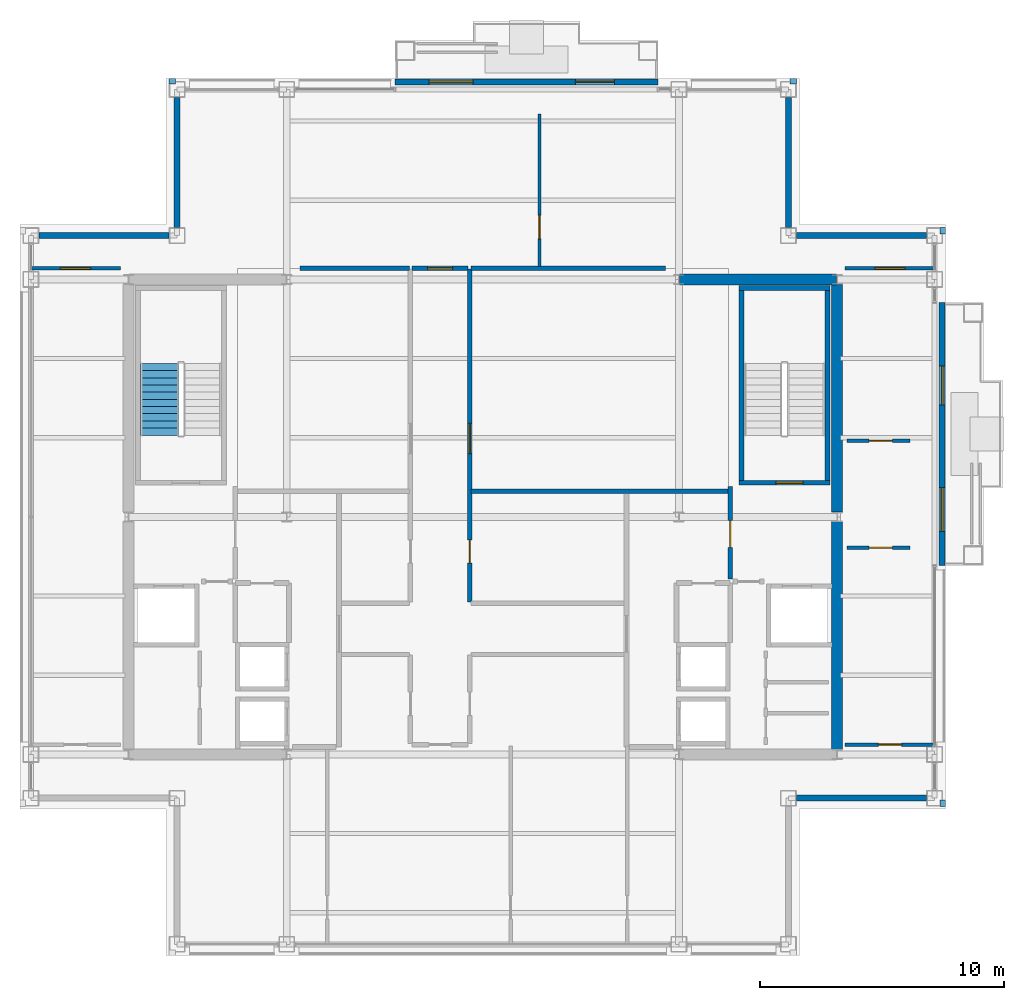
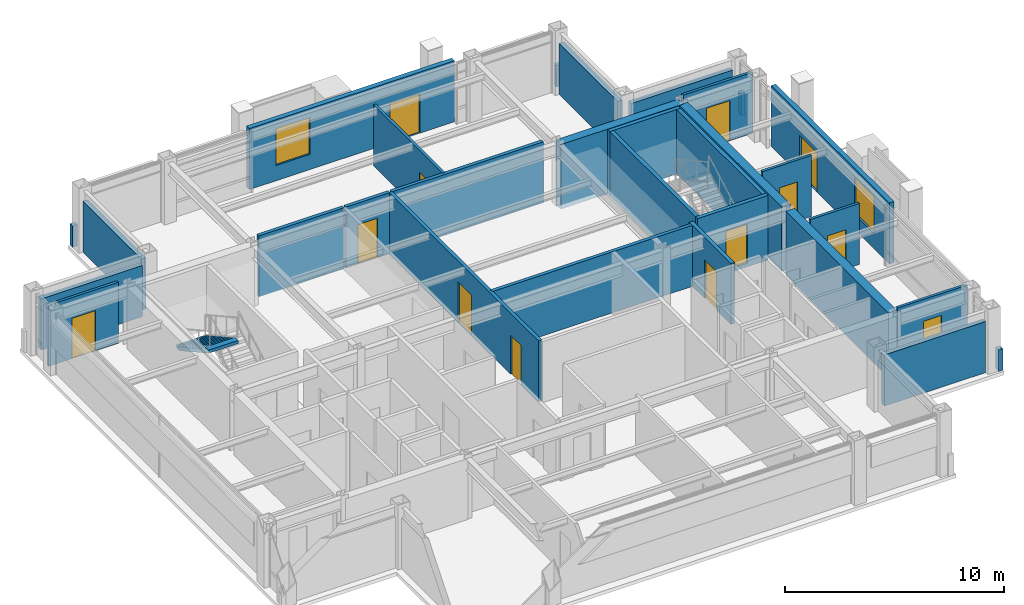
# One storey, part 21 of 24: 30 walls, 13 doors, 2 windows, 1 stair flight, 15 openings, 1 element without a shape of its own.
"""IFC4 building model written with IfcOpenShell, lengths in metres."""

from ifc_helpers import new_model, si_unit, direction, frame, frame_2d, origin, place, context, subcontext, project, spatial, polyline, rectangle, outline, extrude, material, layer, layer_set, type_object, element, fill, aggregate, save


model = new_model("IFC4")

# Units and contexts
model_context = context("Model", 3, precision=1e-05, world=origin(), true_north=direction((0.0, 1.0)))
body_context = subcontext(model_context, "Body", "Model", "MODEL_VIEW")
ifc_project = project(units=[si_unit("LENGTHUNIT", "METRE"), si_unit("AREAUNIT", "SQUARE_METRE"), si_unit("VOLUMEUNIT", "CUBIC_METRE"), si_unit("PLANEANGLEUNIT", "RADIAN"), si_unit("MASSUNIT", "GRAM", prefix="KILO")], contexts=[model_context])

# Site, building, storey
site_placement = place(None, origin())
site = spatial("IfcSite", under=ifc_project, at=site_placement, CompositionType="ELEMENT")
building_placement = place(site_placement, origin())
building = spatial("IfcBuilding", under=site, at=building_placement, Name="Brelmoor Portico Tower", CompositionType="ELEMENT")
storey_placement = place(building_placement, frame((0.0, 0.0, 229.199951171875)))
storey = spatial("IfcBuildingStorey", under=building, at=storey_placement, Name="L60", CompositionType="ELEMENT", Elevation=229.199951171875)

# Walls
ifc_material_1 = material(Name="Concrete C50", Category="concrete")
ifc_layer_1 = layer(ifc_material_1, 0.449951171875)
ifc_layer_set_1 = layer_set([ifc_layer_1], Name="Concrete C50")
wall_type_1 = type_object("IfcWallType", Name="WL-CORE-450", PredefinedType="SHEAR", material=ifc_layer_set_1)
wall_1_placement = place(storey_placement, frame((8.070068359375, 9.75, -0.199951171875), z_axis=(0.0, 0.0, 1.0), x_axis=(1.0, 0.0, 0.0)))
element("IfcWall", 1, at=wall_1_placement, inside=storey, type_object=wall_type_1, Name="L60 EC North Shear Wall", PredefinedType="SHEAR", context=body_context, shape_type="SweptSolid", body=[
    extrude(rectangle(XDim=6.4599609375, YDim=0.449951171875, at=frame_2d((3.22998046875, 0.0))), origin(), (0.0, 0.0, 1.0), 3.60009765625),
])
for number, where, z_axis, x_axis, name in (
    (2, (14.550048828125, -9.550048828125, -0.199951171875), (0.0, 0.0, 1.0), (0.0, 1.0, 0.0), "L60 EC Outer South Shear Wall"),
    (3, (14.550048828125, 0.199951171875, -0.199951171875), (0.0, 0.0, 1.0), (0.0, 1.0, 0.0), "L60 EC Outer North Shear Wall"),
):
    element("IfcWall", number, at=place(storey_placement, frame(where, z_axis=z_axis, x_axis=x_axis)), inside=storey, type_object=wall_type_1, Name=name, PredefinedType="SHEAR", context=body_context, shape_type="SweptSolid", body=[
        extrude(rectangle(XDim=9.35009765625, YDim=0.449951171875, at=frame_2d((4.675048828125, 0.0))), origin(), (0.0, 0.0, 1.0), 3.60009765625),
    ])

# Wall, openings, door, window
ifc_material_2 = material(Name="Precast Concrete C40 Insulated Facade Wall", Category="concrete")
ifc_layer_2 = layer(ifc_material_2, 0.25)
ifc_layer_set_2 = layer_set([ifc_layer_2], Name="Precast Concrete C40 Insulated Facade Wall")
wall_type_2 = type_object("IfcWallType", Name="WL-EXT-250", PredefinedType="STANDARD", material=ifc_layer_set_2)
wall_2_placement = place(storey_placement, frame((-3.60009765625, 17.860107421875, 0.0), z_axis=(0.0, 0.0, 1.0), x_axis=(1.0, 0.0, 0.0)))
wall_2 = element("IfcWall", 4, at=wall_2_placement, inside=storey, type_object=wall_type_2, Name="L60 Loggia Threshold Wall N-1", PredefinedType="STANDARD", context=body_context, shape_type="SweptSolid", body=[
    extrude(rectangle(XDim=10.800048828125, YDim=0.25, at=frame_2d((5.39990234375, 0.0))), origin(), (0.0, 0.0, 1.0), 3.400146484375),
])
opening_1_placement = place(wall_2_placement, frame((7.39990234375, 0.0, 0.0)))
opening_1 = element("IfcOpeningElement", 5, at=opening_1_placement, cuts=wall_2, Name="Opening D-TB1", PredefinedType="OPENING", context=body_context, shape_type="SweptSolid", body=[
    extrude(rectangle(XDim=1.60009765625, YDim=2.199951171875, at=frame_2d((0.800048828125, 1.10009765625))), frame((0.0, 0.135009765625, 0.0), z_axis=(0.0, -1.0, 0.0), x_axis=(1.0, 0.0, 0.0)), (0.0, 0.0, 1.0), 0.27001953125),
])
opening_2_placement = place(wall_2_placement, frame((1.39990234375, 0.0, 0.85009765625)))
opening_2 = element("IfcOpeningElement", 6, at=opening_2_placement, cuts=wall_2, Name="Opening W-03C", PredefinedType="OPENING", context=body_context, shape_type="SweptSolid", body=[
    extrude(rectangle(XDim=1.800048828125, YDim=2.050048828125, at=frame_2d((0.89990234375, 1.02490234375))), frame((0.0, 0.135009765625, 0.0), z_axis=(0.0, -1.0, 0.0), x_axis=(1.0, 0.0, 0.0)), (0.0, 0.0, 1.0), 0.27001953125),
])
ifc_material_3 = material(Name="Double-Leaf Thermally Broken Terrace Door", Category="aluminium")
door_type_1 = type_object("IfcDoorType", Name="DR-BALCONY-1600", OperationType="NOTDEFINED", PredefinedType="DOOR", material=ifc_material_3)
door_1_placement = place(opening_1_placement, origin())
door_1 = element("IfcDoor", 7, at=door_1_placement, inside=storey, type_object=door_type_1, Name="D-2503 L60 Tree Balcony Double Door N", OperationType="DOUBLE_DOOR_SINGLE_SWING", OverallHeight=2.199951171875, OverallWidth=1.60009765625, PredefinedType="DOOR", context=body_context, shape_type="SweptSolid", body=[
    extrude(rectangle(XDim=1.60009765625, YDim=2.199951171875, at=frame_2d((0.800048828125, 1.10009765625))), frame((0.0, 0.02490234375, 0.0), z_axis=(0.0, -1.0, 0.0), x_axis=(1.0, 0.0, 0.0)), (0.0, 0.0, 1.0), 0.050048828125),
])
fill(opening_1, door_1)
ifc_material_4 = material(Name="Thermally Broken Aluminium Low-E Window", Category="aluminium")
window_type = type_object("IfcWindowType", Name="WN-LOGGIA-1800x2050", PartitioningType="SINGLE_PANEL", PredefinedType="WINDOW", material=ifc_material_4)
window_1_placement = place(opening_2_placement, origin())
window_1 = element("IfcWindow", 8, at=window_1_placement, inside=storey, type_object=window_type, Name="L60 Loggia Window N", OverallHeight=2.050048828125, OverallWidth=1.800048828125, PartitioningType="SINGLE_PANEL", PredefinedType="WINDOW", context=body_context, shape_type="SweptSolid", body=[
    extrude(rectangle(XDim=1.800048828125, YDim=2.050048828125, at=frame_2d((0.89990234375, 1.02490234375))), frame((0.0, 0.030029296875, 0.0), z_axis=(0.0, -1.0, 0.0), x_axis=(1.0, 0.0, 0.0)), (0.0, 0.0, 1.0), 0.06005859375),
])
fill(opening_2, window_1)

wall_3_placement = place(storey_placement, frame((18.860107421875, -2.0, 0.0), z_axis=(0.0, 0.0, 1.0), x_axis=(0.0, 1.0, 0.0)))
wall_3 = element("IfcWall", 9, at=wall_3_placement, inside=storey, type_object=wall_type_2, Name="L60 Loggia Threshold Wall E-1", PredefinedType="STANDARD", context=body_context, shape_type="SweptSolid", body=[
    extrude(rectangle(XDim=10.800048828125, YDim=0.25, at=frame_2d((5.39990234375, 0.0))), origin(), (0.0, 0.0, 1.0), 3.400146484375),
])
opening_3_placement = place(wall_3_placement, frame((6.60009765625, 0.0, 0.0)))
opening_3 = element("IfcOpeningElement", 10, at=opening_3_placement, cuts=wall_3, Name="Opening D-TB1", PredefinedType="OPENING", context=body_context, shape_type="SweptSolid", body=[
    extrude(rectangle(XDim=1.60009765625, YDim=2.199951171875, at=frame_2d((0.800048828125, 1.10009765625))), frame((0.0, 0.135009765625, 0.0), z_axis=(0.0, -1.0, 0.0), x_axis=(1.0, 0.0, 0.0)), (0.0, 0.0, 1.0), 0.27001953125),
])
opening_4_placement = place(wall_3_placement, frame((1.39990234375, 0.0, 0.85009765625)))
opening_4 = element("IfcOpeningElement", 11, at=opening_4_placement, cuts=wall_3, Name="Opening W-03C", PredefinedType="OPENING", context=body_context, shape_type="SweptSolid", body=[
    extrude(rectangle(XDim=1.800048828125, YDim=2.050048828125, at=frame_2d((0.89990234375, 1.02490234375))), frame((0.0, 0.135009765625, 0.0), z_axis=(0.0, -1.0, 0.0), x_axis=(1.0, 0.0, 0.0)), (0.0, 0.0, 1.0), 0.27001953125),
])
door_2_placement = place(opening_3_placement, origin())
door_2 = element("IfcDoor", 12, at=door_2_placement, inside=storey, type_object=door_type_1, Name="D-2502 L60 Tree Balcony Double Door E", OperationType="DOUBLE_DOOR_SINGLE_SWING", OverallHeight=2.199951171875, OverallWidth=1.60009765625, PredefinedType="DOOR", context=body_context, shape_type="SweptSolid", body=[
    extrude(rectangle(XDim=1.60009765625, YDim=2.199951171875, at=frame_2d((0.800048828125, 1.10009765625))), frame((0.0, 0.02490234375, 0.0), z_axis=(0.0, -1.0, 0.0), x_axis=(1.0, 0.0, 0.0)), (0.0, 0.0, 1.0), 0.050048828125),
])
fill(opening_3, door_2)
window_2_placement = place(opening_4_placement, origin())
window_2 = element("IfcWindow", 13, at=window_2_placement, inside=storey, type_object=window_type, Name="L60 Loggia Window E", OverallHeight=2.050048828125, OverallWidth=1.800048828125, PartitioningType="SINGLE_PANEL", PredefinedType="WINDOW", context=body_context, shape_type="SweptSolid", body=[
    extrude(rectangle(XDim=1.800048828125, YDim=2.050048828125, at=frame_2d((0.89990234375, 1.02490234375))), frame((0.0, 0.030029296875, 0.0), z_axis=(0.0, -1.0, 0.0), x_axis=(1.0, 0.0, 0.0)), (0.0, 0.0, 1.0), 0.06005859375),
])
fill(opening_4, window_2)

# Walls
for number, where, z_axis, x_axis, name in (
    (14, (12.885009765625, -11.550048828125, 0.0), (0.0, 0.0, 1.0), (1.0, 0.0, 0.0), "L60 Corner Notch Facade Wall NSEH1"),
    (15, (-18.215087890625, 11.550048828125, 0.0), (0.0, 0.0, 1.0), (1.0, 0.0, 0.0), "L60 Corner Notch Facade Wall NNWH1"),
    (16, (-12.550048828125, 11.885009765625, 0.0), (0.0, 0.0, 1.0), (0.0, 1.0, 0.0), "L60 Corner Notch Facade Wall NNWV1"),
    (17, (12.885009765625, 11.550048828125, 0.0), (0.0, 0.0, 1.0), (1.0, 0.0, 0.0), "L60 Corner Notch Facade Wall NNEH1"),
    (18, (12.550048828125, 11.885009765625, 0.0), (0.0, 0.0, 1.0), (0.0, 1.0, 0.0), "L60 Corner Notch Facade Wall NNEV1"),
):
    element("IfcWall", number, at=place(storey_placement, frame(where, z_axis=z_axis, x_axis=x_axis)), inside=storey, type_object=wall_type_2, Name=name, PredefinedType="STANDARD", context=body_context, shape_type="SweptSolid", body=[
        extrude(rectangle(XDim=5.330078125, YDim=0.25, at=frame_2d((2.6650390625, 0.0))), origin(), (0.0, 0.0, 1.0), 2.85009765625),
    ])
ifc_material_5 = material(Name="Concrete C40 Parapet Upstand", Category="concrete")
ifc_layer_3 = layer(ifc_material_5, 0.219970703125)
ifc_layer_set_3 = layer_set([ifc_layer_3], Name="Concrete C40 Parapet Upstand")
wall_type_3 = type_object("IfcWallType", Name="WL-PARAPET-220", PredefinedType="PARAPET", material=ifc_layer_set_3)
for number, where, z_axis, x_axis, name in (
    (19, (18.889892578125, -11.889892578125, 0.0), (0.0, 0.0, 1.0), (0.0, 1.0, 0.0), "L60 Chamfer Vertex Parapet Pier SE2"),
    (20, (-12.889892578125, 17.889892578125, 0.0), (0.0, 0.0, 1.0), (1.0, 0.0, 0.0), "L60 Chamfer Vertex Parapet Pier NW1"),
    (21, (12.6201171875, 17.889892578125, 0.0), (0.0, 0.0, 1.0), (1.0, 0.0, 0.0), "L60 Chamfer Vertex Parapet Pier NE1"),
    (22, (18.889892578125, 11.6201171875, 0.0), (0.0, 0.0, 1.0), (0.0, 1.0, 0.0), "L60 Chamfer Vertex Parapet Pier NE2"),
):
    element("IfcWall", number, at=place(storey_placement, frame(where, z_axis=z_axis, x_axis=x_axis)), inside=storey, type_object=wall_type_3, Name=name, PredefinedType="PARAPET", context=body_context, shape_type="SweptSolid", body=[
        extrude(rectangle(XDim=0.269775390625, YDim=0.219970703125, at=frame_2d((0.134765625, 0.0))), origin(), (0.0, 0.0, 1.0), 1.199951171875),
    ])

# Wall, opening, door
ifc_material_6 = material(Name="Insulated Stud Suite Partition", Category="gypsum")
ifc_layer_4 = layer(ifc_material_6, 0.139892578125)
ifc_layer_set_4 = layer_set([ifc_layer_4], Name="Insulated Stud Suite Partition")
wall_type_4 = type_object("IfcWallType", Name="WL-PART-140", PredefinedType="PARTITIONING", material=ifc_layer_set_4)
wall_4_placement = place(storey_placement, frame((2.330078125, 10.27001953125, 0.0), z_axis=(0.0, 0.0, 1.0), x_axis=(0.0, 1.0, 0.0)))
wall_4 = element("IfcWall", 23, at=wall_4_placement, inside=storey, type_object=wall_type_4, Name="L60 North Suite Partition 1", PredefinedType="PARTITIONING", context=body_context, shape_type="SweptSolid", body=[
    extrude(rectangle(XDim=6.280029296875, YDim=0.139892578125, at=frame_2d((3.14013671875, 0.0))), origin(), (0.0, 0.0, 1.0), 3.400146484375),
])
opening_5_placement = place(wall_4_placement, frame((1.14990234375, 0.0, 0.0)))
opening_5 = element("IfcOpeningElement", 24, at=opening_5_placement, cuts=wall_4, Name="Opening D-IN2", PredefinedType="OPENING", context=body_context, shape_type="SweptSolid", body=[
    extrude(rectangle(XDim=0.9599609375, YDim=2.179931640625, at=frame_2d((0.47998046875, 1.08984375))), frame((0.0, 0.079833984375, 0.0), z_axis=(0.0, -1.0, 0.0), x_axis=(1.0, 0.0, 0.0)), (0.0, 0.0, 1.0), 0.159912109375),
])
ifc_material_7 = material(Name="Lacquered Timber Suite Door", Category="wood")
door_type_2 = type_object("IfcDoorType", Name="DR-INT-950", OperationType="NOTDEFINED", PredefinedType="DOOR", material=ifc_material_7)
door_3_placement = place(opening_5_placement, origin())
door_3 = element("IfcDoor", 25, at=door_3_placement, inside=storey, type_object=door_type_2, Name="D-2491 L60 North Suite Connecting Door 1", OperationType="SINGLE_SWING_LEFT", OverallHeight=2.179931640625, OverallWidth=0.9599609375, PredefinedType="DOOR", context=body_context, shape_type="SweptSolid", body=[
    extrude(rectangle(XDim=0.9599609375, YDim=2.179931640625, at=frame_2d((0.47998046875, 1.08984375))), frame((0.0, 0.02490234375, 0.0), z_axis=(0.0, -1.0, 0.0), x_axis=(1.0, 0.0, 0.0)), (0.0, 0.0, 1.0), 0.050048828125),
])
fill(opening_5, door_3)

wall_5_placement = place(storey_placement, frame((-18.56005859375, 10.2099609375, 0.0), z_axis=(0.0, 0.0, 1.0), x_axis=(1.0, 0.0, 0.0)))
wall_5 = element("IfcWall", 26, at=wall_5_placement, inside=storey, type_object=wall_type_4, Name="L60 North Wing Suite Wall WL", PredefinedType="PARTITIONING", context=body_context, shape_type="SweptSolid", body=[
    extrude(rectangle(XDim=3.68017578125, YDim=0.139892578125, at=frame_2d((1.840087890625, 0.0))), origin(), (0.0, 0.0, 1.0), 3.400146484375),
])
opening_6_placement = place(wall_5_placement, frame((1.219970703125, 0.0, 0.0)))
opening_6 = element("IfcOpeningElement", 27, at=opening_6_placement, cuts=wall_5, Name="Opening D-SU1", PredefinedType="OPENING", context=body_context, shape_type="SweptSolid", body=[
    extrude(rectangle(XDim=1.239990234375, YDim=2.239990234375, at=frame_2d((0.6201171875, 1.1201171875))), frame((0.0, 0.079833984375, 0.0), z_axis=(0.0, -1.0, 0.0), x_axis=(1.0, 0.0, 0.0)), (0.0, 0.0, 1.0), 0.159912109375),
])
ifc_material_8 = material(Name="Glazed Timber Executive Suite Door", Category="wood")
door_type_3 = type_object("IfcDoorType", Name="DR-SUITE-1200", OperationType="NOTDEFINED", PredefinedType="DOOR", material=ifc_material_8)
door_4_placement = place(opening_6_placement, origin())
door_4 = element("IfcDoor", 28, at=door_4_placement, inside=storey, type_object=door_type_3, Name="D-2493 L60 WL Wing Suite Connecting Door", OperationType="SINGLE_SWING_LEFT", OverallHeight=2.239990234375, OverallWidth=1.239990234375, PredefinedType="DOOR", context=body_context, shape_type="SweptSolid", body=[
    extrude(rectangle(XDim=1.239990234375, YDim=2.239990234375, at=frame_2d((0.6201171875, 1.1201171875))), frame((0.0, 0.02490234375, 0.0), z_axis=(0.0, -1.0, 0.0), x_axis=(1.0, 0.0, 0.0)), (0.0, 0.0, 1.0), 0.050048828125),
])
fill(opening_6, door_4)

wall_6_placement = place(storey_placement, frame((14.8798828125, 10.2099609375, 0.0), z_axis=(0.0, 0.0, 1.0), x_axis=(1.0, 0.0, 0.0)))
wall_6 = element("IfcWall", 29, at=wall_6_placement, inside=storey, type_object=wall_type_4, Name="L60 North Wing Suite Wall ER", PredefinedType="PARTITIONING", context=body_context, shape_type="SweptSolid", body=[
    extrude(rectangle(XDim=3.68017578125, YDim=0.139892578125, at=frame_2d((1.840087890625, 0.0))), origin(), (0.0, 0.0, 1.0), 3.400146484375),
])
opening_7_placement = place(wall_6_placement, frame((1.219970703125, 0.0, 0.0)))
opening_7 = element("IfcOpeningElement", 30, at=opening_7_placement, cuts=wall_6, Name="Opening D-SU1", PredefinedType="OPENING", context=body_context, shape_type="SweptSolid", body=[
    extrude(rectangle(XDim=1.239990234375, YDim=2.239990234375, at=frame_2d((0.6201171875, 1.1201171875))), frame((0.0, 0.079833984375, 0.0), z_axis=(0.0, -1.0, 0.0), x_axis=(1.0, 0.0, 0.0)), (0.0, 0.0, 1.0), 0.159912109375),
])
door_5_placement = place(opening_7_placement, origin())
door_5 = element("IfcDoor", 31, at=door_5_placement, inside=storey, type_object=door_type_3, Name="D-2492 L60 ER Wing Suite Connecting Door", OperationType="SINGLE_SWING_RIGHT", OverallHeight=2.239990234375, OverallWidth=1.239990234375, PredefinedType="DOOR", context=body_context, shape_type="SweptSolid", body=[
    extrude(rectangle(XDim=1.239990234375, YDim=2.239990234375, at=frame_2d((0.6201171875, 1.1201171875))), frame((0.0, 0.02490234375, 0.0), z_axis=(0.0, -1.0, 0.0), x_axis=(1.0, 0.0, 0.0)), (0.0, 0.0, 1.0), 0.050048828125),
])
fill(opening_7, door_5)

wall_7_placement = place(storey_placement, frame((14.8798828125, -9.35009765625, 0.0), z_axis=(0.0, 0.0, 1.0), x_axis=(1.0, 0.0, 0.0)))
wall_7 = element("IfcWall", 32, at=wall_7_placement, inside=storey, type_object=wall_type_4, Name="L60 South Wing Closure ER", PredefinedType="PARTITIONING", context=body_context, shape_type="SweptSolid", body=[
    extrude(rectangle(XDim=3.68017578125, YDim=0.139892578125, at=frame_2d((1.840087890625, 0.0))), origin(), (0.0, 0.0, 1.0), 3.400146484375),
])
opening_8_placement = place(wall_7_placement, frame((1.360107421875, 0.0, 0.0)))
opening_8 = element("IfcOpeningElement", 33, at=opening_8_placement, cuts=wall_7, Name="Opening D-IN2", PredefinedType="OPENING", context=body_context, shape_type="SweptSolid", body=[
    extrude(rectangle(XDim=0.9599609375, YDim=2.179931640625, at=frame_2d((0.47998046875, 1.08984375))), frame((0.0, 0.079833984375, 0.0), z_axis=(0.0, -1.0, 0.0), x_axis=(1.0, 0.0, 0.0)), (0.0, 0.0, 1.0), 0.159912109375),
])
door_6_placement = place(opening_8_placement, origin())
door_6 = element("IfcDoor", 34, at=door_6_placement, inside=storey, type_object=door_type_2, Name="D-2500 L60 ER Wing South Suite Door", OperationType="SINGLE_SWING_RIGHT", OverallHeight=2.179931640625, OverallWidth=0.9599609375, PredefinedType="DOOR", context=body_context, shape_type="SweptSolid", body=[
    extrude(rectangle(XDim=0.9599609375, YDim=2.179931640625, at=frame_2d((0.47998046875, 1.08984375))), frame((0.0, 0.02490234375, 0.0), z_axis=(0.0, -1.0, 0.0), x_axis=(1.0, 0.0, 0.0)), (0.0, 0.0, 1.0), 0.050048828125),
])
fill(opening_8, door_6)

wall_8_placement = place(storey_placement, frame((14.9599609375, -1.27001953125, 0.0), z_axis=(0.0, 0.0, 1.0), x_axis=(1.0, 0.0, 0.0)))
wall_8 = element("IfcWall", 35, at=wall_8_placement, inside=storey, type_object=wall_type_4, Name="L60 E Wing Partition 1", PredefinedType="PARTITIONING", context=body_context, shape_type="SweptSolid", body=[
    extrude(rectangle(XDim=2.590087890625, YDim=0.139892578125, at=frame_2d((1.294921875, 0.0))), origin(), (0.0, 0.0, 1.0), 3.400146484375),
])
opening_9_placement = place(wall_8_placement, frame((0.89990234375, 0.0, 0.0)))
opening_9 = element("IfcOpeningElement", 36, at=opening_9_placement, cuts=wall_8, Name="Opening D-IN2", PredefinedType="OPENING", context=body_context, shape_type="SweptSolid", body=[
    extrude(rectangle(XDim=0.9599609375, YDim=2.179931640625, at=frame_2d((0.47998046875, 1.08984375))), frame((0.0, 0.079833984375, 0.0), z_axis=(0.0, -1.0, 0.0), x_axis=(1.0, 0.0, 0.0)), (0.0, 0.0, 1.0), 0.159912109375),
])
door_7_placement = place(opening_9_placement, origin())
door_7 = element("IfcDoor", 37, at=door_7_placement, inside=storey, type_object=door_type_2, Name="D-2504 L60 E Wing Suite Connecting Door 1", OperationType="SINGLE_SWING_LEFT", OverallHeight=2.179931640625, OverallWidth=0.9599609375, PredefinedType="DOOR", context=body_context, shape_type="SweptSolid", body=[
    extrude(rectangle(XDim=0.9599609375, YDim=2.179931640625, at=frame_2d((0.47998046875, 1.08984375))), frame((0.0, 0.02490234375, 0.0), z_axis=(0.0, -1.0, 0.0), x_axis=(1.0, 0.0, 0.0)), (0.0, 0.0, 1.0), 0.050048828125),
])
fill(opening_9, door_7)

wall_9_placement = place(storey_placement, frame((14.9599609375, 3.1298828125, 0.0), z_axis=(0.0, 0.0, 1.0), x_axis=(1.0, 0.0, 0.0)))
wall_9 = element("IfcWall", 38, at=wall_9_placement, inside=storey, type_object=wall_type_4, Name="L60 E Wing Partition 2", PredefinedType="PARTITIONING", context=body_context, shape_type="SweptSolid", body=[
    extrude(rectangle(XDim=2.590087890625, YDim=0.139892578125, at=frame_2d((1.294921875, 0.0))), origin(), (0.0, 0.0, 1.0), 3.400146484375),
])
opening_10_placement = place(wall_9_placement, frame((0.89990234375, 0.0, 0.0)))
opening_10 = element("IfcOpeningElement", 39, at=opening_10_placement, cuts=wall_9, Name="Opening D-IN2", PredefinedType="OPENING", context=body_context, shape_type="SweptSolid", body=[
    extrude(rectangle(XDim=0.9599609375, YDim=2.179931640625, at=frame_2d((0.47998046875, 1.08984375))), frame((0.0, 0.079833984375, 0.0), z_axis=(0.0, -1.0, 0.0), x_axis=(1.0, 0.0, 0.0)), (0.0, 0.0, 1.0), 0.159912109375),
])
door_8_placement = place(opening_10_placement, origin())
door_8 = element("IfcDoor", 40, at=door_8_placement, inside=storey, type_object=door_type_2, Name="D-2505 L60 E Wing Suite Connecting Door 2", OperationType="SINGLE_SWING_RIGHT", OverallHeight=2.179931640625, OverallWidth=0.9599609375, PredefinedType="DOOR", context=body_context, shape_type="SweptSolid", body=[
    extrude(rectangle(XDim=0.9599609375, YDim=2.179931640625, at=frame_2d((0.47998046875, 1.08984375))), frame((0.0, 0.02490234375, 0.0), z_axis=(0.0, -1.0, 0.0), x_axis=(1.0, 0.0, 0.0)), (0.0, 0.0, 1.0), 0.050048828125),
])
fill(opening_10, door_8)

# Walls
ifc_material_9 = material(Name="Acoustic Corridor Fire Partition", Category="gypsum")
ifc_layer_5 = layer(ifc_material_9, 0.179931640625)
ifc_layer_set_5 = layer_set([ifc_layer_5], Name="Acoustic Corridor Fire Partition")
wall_type_5 = type_object("IfcWallType", Name="WL-PART-180", PredefinedType="PARTITIONING", material=ifc_layer_set_5)
wall_10_placement = place(storey_placement, frame((-7.5, 10.2099609375, 0.0), z_axis=(0.0, 0.0, 1.0), x_axis=(1.0, 0.0, 0.0)))
element("IfcWall", 41, at=wall_10_placement, inside=storey, type_object=wall_type_5, Name="L60 West Reclaimed Suite North Wall", PredefinedType="PARTITIONING", context=body_context, shape_type="SweptSolid", body=[
    extrude(rectangle(XDim=4.489990234375, YDim=0.179931640625, at=frame_2d((2.2451171875, 0.0))), origin(), (0.0, 0.0, 1.0), 3.400146484375),
])
wall_11_placement = place(storey_placement, frame((-0.489990234375, 1.050048828125, 0.0), z_axis=(0.0, 0.0, 1.0), x_axis=(1.0, 0.0, 0.0)))
element("IfcWall", 42, at=wall_11_placement, inside=storey, type_object=wall_type_5, Name="L60 East Suite South Wall", PredefinedType="PARTITIONING", context=body_context, shape_type="SweptSolid", body=[
    extrude(rectangle(XDim=10.550048828125, YDim=0.179931640625, at=frame_2d((5.27490234375, 0.0))), origin(), (0.0, 0.0, 1.0), 3.400146484375),
])

# Wall, openings, doors
wall_12_placement = place(storey_placement, frame((-0.530029296875, -3.5, 0.0), z_axis=(0.0, 0.0, 1.0), x_axis=(0.0, 1.0, 0.0)))
wall_12 = element("IfcWall", 43, at=wall_12_placement, inside=storey, type_object=wall_type_5, Name="L60 Central Cross East Wall", PredefinedType="PARTITIONING", context=body_context, shape_type="SweptSolid", body=[
    extrude(rectangle(XDim=13.669921875, YDim=0.179931640625, at=frame_2d((6.8349609375, 0.0))), origin(), (0.0, 0.0, 1.0), 3.400146484375),
])
opening_11_placement = place(wall_12_placement, frame((6.10009765625, 0.0, 0.0)))
opening_11 = element("IfcOpeningElement", 44, at=opening_11_placement, cuts=wall_12, Name="Opening D-SU1", PredefinedType="OPENING", context=body_context, shape_type="SweptSolid", body=[
    extrude(rectangle(XDim=1.239990234375, YDim=2.239990234375, at=frame_2d((0.6201171875, 1.1201171875))), frame((0.0, 0.099853515625, 0.0), z_axis=(0.0, -1.0, 0.0), x_axis=(1.0, 0.0, 0.0)), (0.0, 0.0, 1.0), 0.199951171875),
])
opening_12_placement = place(wall_12_placement, frame((1.60009765625, 0.0, 0.0)))
opening_12 = element("IfcOpeningElement", 45, at=opening_12_placement, cuts=wall_12, Name="Opening D-IN2", PredefinedType="OPENING", context=body_context, shape_type="SweptSolid", body=[
    extrude(rectangle(XDim=0.9599609375, YDim=2.179931640625, at=frame_2d((0.47998046875, 1.08984375))), frame((0.0, 0.099853515625, 0.0), z_axis=(0.0, -1.0, 0.0), x_axis=(1.0, 0.0, 0.0)), (0.0, 0.0, 1.0), 0.199951171875),
])
door_9_placement = place(opening_12_placement, origin())
door_9 = element("IfcDoor", 46, at=door_9_placement, inside=storey, type_object=door_type_2, Name="D-2472 L60 Client Project Office Door", OperationType="SINGLE_SWING_RIGHT", OverallHeight=2.179931640625, OverallWidth=0.9599609375, PredefinedType="DOOR", context=body_context, shape_type="SweptSolid", body=[
    extrude(rectangle(XDim=0.9599609375, YDim=2.179931640625, at=frame_2d((0.47998046875, 1.08984375))), frame((0.0, 0.02490234375, 0.0), z_axis=(0.0, -1.0, 0.0), x_axis=(1.0, 0.0, 0.0)), (0.0, 0.0, 1.0), 0.050048828125),
])
fill(opening_12, door_9)
door_10_placement = place(opening_11_placement, origin())
door_10 = element("IfcDoor", 47, at=door_10_placement, inside=storey, type_object=door_type_3, Name="D-2473 L60 East Reclaimed Studio Door", OperationType="SINGLE_SWING_LEFT", OverallHeight=2.239990234375, OverallWidth=1.239990234375, PredefinedType="DOOR", context=body_context, shape_type="SweptSolid", body=[
    extrude(rectangle(XDim=1.239990234375, YDim=2.239990234375, at=frame_2d((0.6201171875, 1.1201171875))), frame((0.0, 0.02490234375, 0.0), z_axis=(0.0, -1.0, 0.0), x_axis=(1.0, 0.0, 0.0)), (0.0, 0.0, 1.0), 0.050048828125),
])
fill(opening_11, door_10)

# Wall
wall_13_placement = place(storey_placement, frame((-0.489990234375, 10.2099609375, 0.0), z_axis=(0.0, 0.0, 1.0), x_axis=(1.0, 0.0, 0.0)))
element("IfcWall", 48, at=wall_13_placement, inside=storey, type_object=wall_type_5, Name="L60 East Suite North Wall", PredefinedType="PARTITIONING", context=body_context, shape_type="SweptSolid", body=[
    extrude(rectangle(XDim=7.989990234375, YDim=0.179931640625, at=frame_2d((3.9951171875, 0.0))), origin(), (0.0, 0.0, 1.0), 3.400146484375),
])

# Wall, opening, door
wall_14_placement = place(storey_placement, frame((-2.89990234375, 10.2099609375, 0.0), z_axis=(0.0, 0.0, 1.0), x_axis=(1.0, 0.0, 0.0)))
wall_14 = element("IfcWall", 49, at=wall_14_placement, inside=storey, type_object=wall_type_5, Name="L60 North Corridor Partition", PredefinedType="PARTITIONING", context=body_context, shape_type="SweptSolid", body=[
    extrude(rectangle(XDim=2.2998046875, YDim=0.179931640625, at=frame_2d((1.14990234375, 0.0))), origin(), (0.0, 0.0, 1.0), 3.400146484375),
])
opening_13_placement = place(wall_14_placement, frame((0.639892578125, 0.0, 0.0)))
opening_13 = element("IfcOpeningElement", 50, at=opening_13_placement, cuts=wall_14, Name="Opening D-OF1", PredefinedType="OPENING", context=body_context, shape_type="SweptSolid", body=[
    extrude(rectangle(XDim=1.02001953125, YDim=2.199951171875, at=frame_2d((0.510009765625, 1.10009765625))), frame((0.0, 0.099853515625, 0.0), z_axis=(0.0, -1.0, 0.0), x_axis=(1.0, 0.0, 0.0)), (0.0, 0.0, 1.0), 0.199951171875),
])
ifc_material_10 = material(Name="Hardwood Acoustic Veneer Door", Category="wood")
door_type_4 = type_object("IfcDoorType", Name="DR-OFFICE-1000", OperationType="NOTDEFINED", PredefinedType="DOOR", material=ifc_material_10)
door_11_placement = place(opening_13_placement, origin())
door_11 = element("IfcDoor", 51, at=door_11_placement, inside=storey, type_object=door_type_4, Name="D-2490 L60 North Project Mail Room 1 Door", OperationType="SINGLE_SWING_RIGHT", OverallHeight=2.199951171875, OverallWidth=1.02001953125, PredefinedType="DOOR", context=body_context, shape_type="SweptSolid", body=[
    extrude(rectangle(XDim=1.02001953125, YDim=2.199951171875, at=frame_2d((0.510009765625, 1.10009765625))), frame((0.0, 0.02490234375, 0.0), z_axis=(0.0, -1.0, 0.0), x_axis=(1.0, 0.0, 0.0)), (0.0, 0.0, 1.0), 0.050048828125),
])
fill(opening_13, door_11)

ifc_material_11 = material(Name="Double-Stud Gypsum Fire Partition", Category="gypsum")
ifc_layer_6 = layer(ifc_material_11, 0.199951171875)
ifc_layer_set_6 = layer_set([ifc_layer_6], Name="Double-Stud Gypsum Fire Partition")
wall_type_6 = type_object("IfcWallType", Name="WL-PART-200", PredefinedType="PARTITIONING", material=ifc_layer_set_6)
wall_15_placement = place(storey_placement, frame((10.159912109375, -2.550048828125, 0.0), z_axis=(0.0, 0.0, 1.0), x_axis=(0.0, 1.0, 0.0)))
wall_15 = element("IfcWall", 52, at=wall_15_placement, inside=storey, type_object=wall_type_6, Name="L60 E Firefighting Lobby Wall", PredefinedType="PARTITIONING", context=body_context, shape_type="SweptSolid", body=[
    extrude(rectangle(XDim=3.800048828125, YDim=0.199951171875, at=frame_2d((1.89990234375, 0.0))), origin(), (0.0, 0.0, 1.0), 3.400146484375),
])
opening_14_placement = place(wall_15_placement, frame((1.300048828125, 0.0, 0.0)))
opening_14 = element("IfcOpeningElement", 53, at=opening_14_placement, cuts=wall_15, Name="Opening D-FR1", PredefinedType="OPENING", context=body_context, shape_type="SweptSolid", body=[
    extrude(rectangle(XDim=1.10009765625, YDim=2.14990234375, at=frame_2d((0.550048828125, 1.074951171875))), frame((0.0, 0.10986328125, 0.0), z_axis=(0.0, -1.0, 0.0), x_axis=(1.0, 0.0, 0.0)), (0.0, 0.0, 1.0), 0.219970703125),
])
ifc_material_12 = material(Name="Painted Galvanised Steel Fire Door", Category="steel")
door_type_5 = type_object("IfcDoorType", Name="DR-FIRE-1100", OperationType="NOTDEFINED", PredefinedType="DOOR", material=ifc_material_12)
door_12_placement = place(opening_14_placement, origin())
door_12 = element("IfcDoor", 54, at=door_12_placement, inside=storey, type_object=door_type_5, Name="D-2486 L60 E Firefighting Lobby Door", OperationType="SINGLE_SWING_LEFT", OverallHeight=2.14990234375, OverallWidth=1.10009765625, PredefinedType="DOOR", context=body_context, shape_type="SweptSolid", body=[
    extrude(rectangle(XDim=1.10009765625, YDim=2.14990234375, at=frame_2d((0.550048828125, 1.074951171875))), frame((0.0, 0.02490234375, 0.0), z_axis=(0.0, -1.0, 0.0), x_axis=(1.0, 0.0, 0.0)), (0.0, 0.0, 1.0), 0.050048828125),
])
fill(opening_14, door_12)

# Wall
ifc_material_13 = material(Name="Concrete C40", Category="concrete")
ifc_layer_7 = layer(ifc_material_13, 0.199951171875)
ifc_layer_set_7 = layer_set([ifc_layer_7], Name="Concrete C40")
wall_type_7 = type_object("IfcWallType", Name="WL-SHAFT-RC200", PredefinedType="SOLIDWALL", material=ifc_layer_set_7)
wall_16_placement = place(storey_placement, frame((14.14990234375, 1.5, -0.199951171875), z_axis=(0.0, 0.0, 1.0), x_axis=(0.0, 1.0, 0.0)))
element("IfcWall", 55, at=wall_16_placement, inside=storey, type_object=wall_type_7, Name="L60 ST-E Structural Stair Wall Outer", PredefinedType="SOLIDWALL", context=body_context, shape_type="SweptSolid", body=[
    extrude(rectangle(XDim=7.800048828125, YDim=0.199951171875, at=frame_2d((3.89990234375, 0.0))), origin(), (0.0, 0.0, 1.0), 3.60009765625),
])

# Wall, opening, door
wall_17_placement = place(storey_placement, frame((10.530029296875, 1.39990234375, -0.199951171875), z_axis=(0.0, 0.0, 1.0), x_axis=(1.0, 0.0, 0.0)))
wall_17 = element("IfcWall", 56, at=wall_17_placement, inside=storey, type_object=wall_type_7, Name="L60 ST-E Structural Stair Wall S", PredefinedType="SOLIDWALL", context=body_context, shape_type="SweptSolid", body=[
    extrude(rectangle(XDim=3.719970703125, YDim=0.199951171875, at=frame_2d((1.85986328125, 0.0))), origin(), (0.0, 0.0, 1.0), 3.60009765625),
])
opening_15_placement = place(wall_17_placement, frame((1.5, 0.0, 0.199951171875)))
opening_15 = element("IfcOpeningElement", 57, at=opening_15_placement, cuts=wall_17, Name="Opening D-ST1", PredefinedType="OPENING", context=body_context, shape_type="SweptSolid", body=[
    extrude(rectangle(XDim=1.1201171875, YDim=2.179931640625, at=frame_2d((0.56005859375, 1.08984375))), frame((0.0, 0.10986328125, 0.0), z_axis=(0.0, -1.0, 0.0), x_axis=(1.0, 0.0, 0.0)), (0.0, 0.0, 1.0), 0.219970703125),
])
door_type_6 = type_object("IfcDoorType", Name="DR-STAIR-1100", OperationType="NOTDEFINED", PredefinedType="DOOR", material=ifc_material_12)
door_13_placement = place(opening_15_placement, origin())
door_13 = element("IfcDoor", 58, at=door_13_placement, inside=storey, type_object=door_type_6, Name="D-2498 L60 ST-E Protected Exit Stair Door", OperationType="SINGLE_SWING_RIGHT", OverallHeight=2.179931640625, OverallWidth=1.1201171875, PredefinedType="DOOR", context=body_context, shape_type="SweptSolid", body=[
    extrude(rectangle(XDim=1.1201171875, YDim=2.179931640625, at=frame_2d((0.56005859375, 1.08984375))), frame((0.0, 0.02490234375, 0.0), z_axis=(0.0, -1.0, 0.0), x_axis=(1.0, 0.0, 0.0)), (0.0, 0.0, 1.0), 0.050048828125),
])
fill(opening_15, door_13)

# Walls
wall_18_placement = place(storey_placement, frame((10.530029296875, 9.39990234375, -0.199951171875), z_axis=(0.0, 0.0, 1.0), x_axis=(1.0, 0.0, 0.0)))
element("IfcWall", 59, at=wall_18_placement, inside=storey, type_object=wall_type_7, Name="L60 ST-E Structural Stair Wall N", PredefinedType="SOLIDWALL", context=body_context, shape_type="SweptSolid", body=[
    extrude(rectangle(XDim=3.719970703125, YDim=0.199951171875, at=frame_2d((1.85986328125, 0.0))), origin(), (0.0, 0.0, 1.0), 3.60009765625),
])
wall_19_placement = place(storey_placement, frame((10.6298828125, 1.5, -0.199951171875), z_axis=(0.0, 0.0, 1.0), x_axis=(0.0, 1.0, 0.0)))
element("IfcWall", 60, at=wall_19_placement, inside=storey, type_object=wall_type_7, Name="L60 ST-E Structural Stair Wall Inner", PredefinedType="SOLIDWALL", context=body_context, shape_type="SweptSolid", body=[
    extrude(rectangle(XDim=7.800048828125, YDim=0.199951171875, at=frame_2d((3.89990234375, 0.0))), origin(), (0.0, 0.0, 1.0), 3.60009765625),
])

# Stair, stair flight
stair_type = type_object("IfcStairType", Name="ST-CORE-W", PredefinedType="HALF_TURN_STAIR", material=ifc_material_13)
stair_placement = place(storey_placement, origin())
stair = element("IfcStair", 61, at=stair_placement, inside=storey, type_object=stair_type, Name="L60 Protected Core Exit Stair ST-W", PredefinedType="HALF_TURN_STAIR")
stair_flight_type = type_object("IfcStairFlightType", Name="SF-CORE-1850", PredefinedType="STRAIGHT", material=ifc_material_13)
stair_flight_placement = place(storey_placement, frame((-13.27001953125, 6.300048828125, 1.800048828125), z_axis=(0.0, 0.0, 1.0), x_axis=(0.0, -1.0, 0.0)))
stair_flight = element("IfcStairFlight", 62, at=stair_flight_placement, type_object=stair_flight_type, Name="ST-W flight 2", NumberOfRisers=11, NumberOfTreads=10, PredefinedType="STRAIGHT", RiserHeight=0.163636364, TreadLength=0.295, context=body_context, shape_type="SweptSolid", body=[
    extrude(outline(polyline([(0.0, 0.0), (0.0, 0.16357421875), (0.294921875, 0.16357421875), (0.294921875, 0.327392578125), (0.590087890625, 0.327392578125), (0.590087890625, 0.490966796875), (0.885009765625, 0.490966796875), (0.885009765625, 0.654541015625), (1.179931640625, 0.654541015625), (1.179931640625, 0.818115234375), (1.47509765625, 0.818115234375), (1.47509765625, 0.98193359375), (1.77001953125, 0.98193359375), (1.77001953125, 1.1455078125), (2.06494140625, 1.1455078125), (2.06494140625, 1.30908203125), (2.360107421875, 1.30908203125), (2.360107421875, 1.47265625), (2.655029296875, 1.47265625), (2.655029296875, 1.636474609375), (2.949951171875, 1.636474609375), (2.949951171875, 1.800048828125), (2.949951171875, 1.46484375), (0.30908203125, 0.0), (0.0, 0.0)])), frame((0.0, 0.780029296875, 0.0), z_axis=(0.0, -1.0, 0.0), x_axis=(1.0, 0.0, 0.0)), (0.0, 0.0, 1.0), 1.56005859375),
])
aggregate(stair, [stair_flight])

save(model, "model.ifc")
